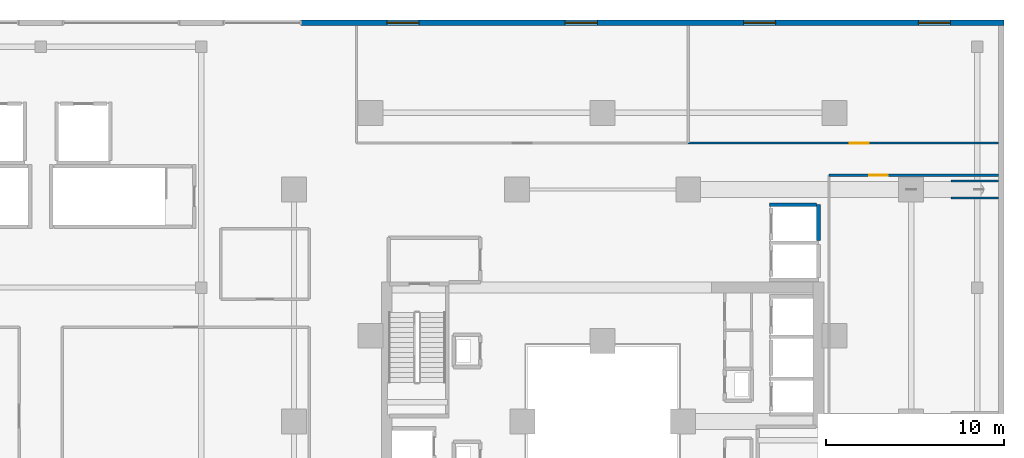
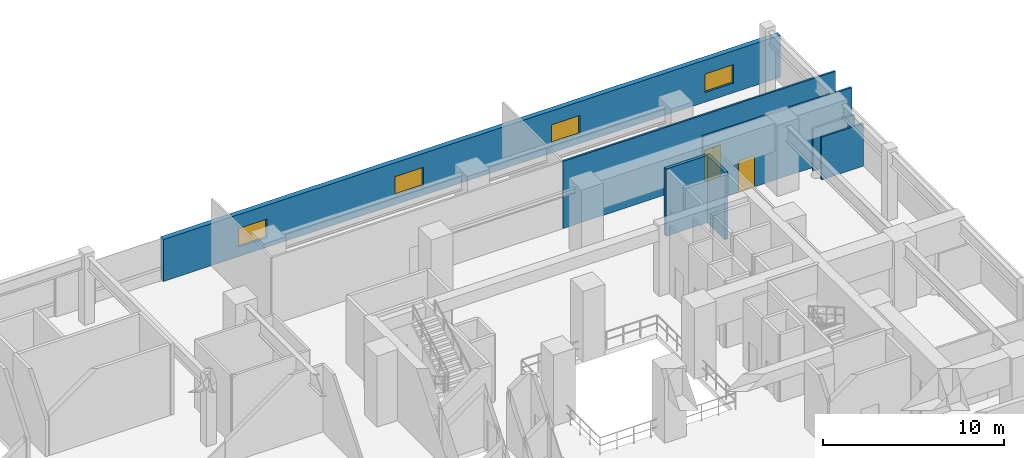
# One storey, part 20 of 25: 7 walls, 4 windows, 2 doors, 6 openings.
"""IFC4 building model written with IfcOpenShell, lengths in metres."""

from ifc_helpers import new_model, si_unit, direction, frame, frame_2d, origin, place, context, subcontext, project, spatial, rectangle, extrude, material, layer, layer_set, type_object, element, fill, save


model = new_model("IFC4")

# Units and contexts
model_context = context("Model", 3, precision=1e-05, world=origin(), true_north=direction((0.0, 1.0)))
body_context = subcontext(model_context, "Body", "Model", "MODEL_VIEW")
ifc_project = project(units=[si_unit("LENGTHUNIT", "METRE"), si_unit("AREAUNIT", "SQUARE_METRE"), si_unit("VOLUMEUNIT", "CUBIC_METRE"), si_unit("PLANEANGLEUNIT", "RADIAN"), si_unit("MASSUNIT", "GRAM", prefix="KILO")], contexts=[model_context])

# Site, building, storey
site_placement = place(None, origin())
site = spatial("IfcSite", under=ifc_project, at=site_placement, CompositionType="ELEMENT")
building_placement = place(site_placement, origin())
building = spatial("IfcBuilding", under=site, at=building_placement, Name="Thornwick Lancets Civic Towers", CompositionType="ELEMENT")
storey_placement = place(building_placement, frame((0.0, 0.0, 23.10009765625)))
storey = spatial("IfcBuildingStorey", under=building, at=storey_placement, Name="L05", CompositionType="ELEMENT", Elevation=23.10009765625)

# Walls
ifc_material_1 = material(Name="Concrete blockwork C40/50", Category="masonry")
ifc_layer_1 = layer(ifc_material_1, 0.199951171875, Name="Concrete blockwork C40/50")
ifc_layer_set_1 = layer_set([ifc_layer_1], Name="Concrete blockwork C40/50")
wall_type_1 = type_object("IfcWallType", Name="WALL_COMP_200", PredefinedType="STANDARD", material=ifc_layer_set_1)
wall_1_placement = place(storey_placement, frame((100.60009765625, 37.132080078125, 0.0), z_axis=(0.0, 0.0, 1.0), x_axis=(0.0, 1.0, 0.0)))
element("IfcWall", 1, at=wall_1_placement, inside=storey, type_object=wall_type_1, Name="L05 Hoistway Shaft Wall PL-BL2 E", PredefinedType="STANDARD", context=body_context, shape_type="SweptSolid", body=[
    extrude(rectangle(XDim=2.015869140625, YDim=0.199951171875, at=frame_2d((1.0078125, 0.0))), origin(), (0.0, 0.0, 1.0), 4.539794921875),
])
wall_2_placement = place(storey_placement, frame((97.85205078125, 39.14990234375, 0.0), z_axis=(0.0, 0.0, 1.0), x_axis=(1.0, 0.0, 0.0)))
element("IfcWall", 2, at=wall_2_placement, inside=storey, type_object=wall_type_1, Name="L05 Hoistway Shaft Wall PL-BL3 N", PredefinedType="STANDARD", context=body_context, shape_type="SweptSolid", body=[
    extrude(rectangle(XDim=2.635986328125, YDim=0.199951171875, at=frame_2d((1.31787109375, 0.0))), origin(), (0.0, 0.0, 1.0), 4.539794921875),
])

# Wall, openings, windows
ifc_material_2 = material(Name="Insulated buff terracotta rainscreen on concrete C40/50", Category="masonry")
ifc_layer_2 = layer(ifc_material_2, 0.320068359375, Name="Insulated buff terracotta rainscreen on concrete C40/50")
ifc_layer_set_2 = layer_set([ifc_layer_2], Name="Insulated buff terracotta rainscreen on concrete C40/50")
wall_type_2 = type_object("IfcWallType", Name="WALL_EXT_TERRA_320", PredefinedType="STANDARD", material=ifc_layer_set_2)
wall_3_placement = place(storey_placement, frame((111.0, 49.340087890625, 0.0), z_axis=(0.0, 0.0, 1.0), x_axis=(-1.0, 0.0, 0.0)))
wall_3 = element("IfcWall", 3, at=wall_3_placement, inside=storey, type_object=wall_type_2, Name="L05 Podium North-East Facade Wall", PredefinedType="STANDARD", context=body_context, shape_type="SweptSolid", body=[
    extrude(rectangle(XDim=39.39990234375, YDim=0.320068359375, at=frame_2d((19.699951171875, 0.0))), origin(), (0.0, 0.0, 1.0), 2.83984375),
])
opening_1_placement = place(wall_3_placement, frame((3.0, 0.0, 0.64990234375)))
opening_1 = element("IfcOpeningElement", 4, at=opening_1_placement, cuts=wall_3, Name="Opening WP-18", PredefinedType="OPENING", context=body_context, shape_type="SweptSolid", body=[
    extrude(rectangle(XDim=1.800048828125, YDim=1.25, at=frame_2d((0.89990234375, 0.625))), frame((0.0, 0.169921875, 0.0), z_axis=(0.0, -1.0, 0.0), x_axis=(1.0, 0.0, 0.0)), (0.0, 0.0, 1.0), 0.340087890625),
])
opening_2_placement = place(wall_3_placement, frame((12.800048828125, 0.0, 0.64990234375)))
opening_2 = element("IfcOpeningElement", 5, at=opening_2_placement, cuts=wall_3, Name="Opening WP-18", PredefinedType="OPENING", context=body_context, shape_type="SweptSolid", body=[
    extrude(rectangle(XDim=1.800048828125, YDim=1.25, at=frame_2d((0.89990234375, 0.625))), frame((0.0, 0.169921875, 0.0), z_axis=(0.0, -1.0, 0.0), x_axis=(1.0, 0.0, 0.0)), (0.0, 0.0, 1.0), 0.340087890625),
])
opening_3_placement = place(wall_3_placement, frame((22.800048828125, 0.0, 0.64990234375)))
opening_3 = element("IfcOpeningElement", 6, at=opening_3_placement, cuts=wall_3, Name="Opening WP-18", PredefinedType="OPENING", context=body_context, shape_type="SweptSolid", body=[
    extrude(rectangle(XDim=1.800048828125, YDim=1.25, at=frame_2d((0.89990234375, 0.625))), frame((0.0, 0.169921875, 0.0), z_axis=(0.0, -1.0, 0.0), x_axis=(1.0, 0.0, 0.0)), (0.0, 0.0, 1.0), 0.340087890625),
])
opening_4_placement = place(wall_3_placement, frame((32.800048828125, 0.0, 0.64990234375)))
opening_4 = element("IfcOpeningElement", 7, at=opening_4_placement, cuts=wall_3, Name="Opening WP-18", PredefinedType="OPENING", context=body_context, shape_type="SweptSolid", body=[
    extrude(rectangle(XDim=1.800048828125, YDim=1.25, at=frame_2d((0.89990234375, 0.625))), frame((0.0, 0.169921875, 0.0), z_axis=(0.0, -1.0, 0.0), x_axis=(1.0, 0.0, 0.0)), (0.0, 0.0, 1.0), 0.340087890625),
])
ifc_material_3 = material(Name="Pointed lancet clear glass window", Category="glass")
window_type = type_object("IfcWindowType", Name="WIN_PODIUM_1800", PartitioningType="SINGLE_PANEL", PredefinedType="WINDOW", material=ifc_material_3)
window_1_placement = place(opening_1_placement, origin())
window_1 = element("IfcWindow", 8, at=window_1_placement, inside=storey, type_object=window_type, Name="L05 Podium Lancet Window 1", OverallHeight=1.25, OverallWidth=1.800048828125, PartitioningType="SINGLE_PANEL", PredefinedType="WINDOW", context=body_context, shape_type="SweptSolid", body=[
    extrude(rectangle(XDim=1.800048828125, YDim=1.25, at=frame_2d((0.89990234375, 0.625))), frame((0.0, 0.030029296875, 0.0), z_axis=(0.0, -1.0, 0.0), x_axis=(1.0, 0.0, 0.0)), (0.0, 0.0, 1.0), 0.06005859375),
])
fill(opening_1, window_1)
window_2_placement = place(opening_2_placement, origin())
window_2 = element("IfcWindow", 9, at=window_2_placement, inside=storey, type_object=window_type, Name="L05 Podium Lancet Window 2", OverallHeight=1.25, OverallWidth=1.800048828125, PartitioningType="SINGLE_PANEL", PredefinedType="WINDOW", context=body_context, shape_type="SweptSolid", body=[
    extrude(rectangle(XDim=1.800048828125, YDim=1.25, at=frame_2d((0.89990234375, 0.625))), frame((0.0, 0.030029296875, 0.0), z_axis=(0.0, -1.0, 0.0), x_axis=(1.0, 0.0, 0.0)), (0.0, 0.0, 1.0), 0.06005859375),
])
fill(opening_2, window_2)
window_3_placement = place(opening_3_placement, origin())
window_3 = element("IfcWindow", 10, at=window_3_placement, inside=storey, type_object=window_type, Name="L05 Podium Lancet Window 3", OverallHeight=1.25, OverallWidth=1.800048828125, PartitioningType="SINGLE_PANEL", PredefinedType="WINDOW", context=body_context, shape_type="SweptSolid", body=[
    extrude(rectangle(XDim=1.800048828125, YDim=1.25, at=frame_2d((0.89990234375, 0.625))), frame((0.0, 0.030029296875, 0.0), z_axis=(0.0, -1.0, 0.0), x_axis=(1.0, 0.0, 0.0)), (0.0, 0.0, 1.0), 0.06005859375),
])
fill(opening_3, window_3)
window_4_placement = place(opening_4_placement, origin())
window_4 = element("IfcWindow", 11, at=window_4_placement, inside=storey, type_object=window_type, Name="L05 Podium Lancet Window 4", OverallHeight=1.25, OverallWidth=1.800048828125, PartitioningType="SINGLE_PANEL", PredefinedType="WINDOW", context=body_context, shape_type="SweptSolid", body=[
    extrude(rectangle(XDim=1.800048828125, YDim=1.25, at=frame_2d((0.89990234375, 0.625))), frame((0.0, 0.030029296875, 0.0), z_axis=(0.0, -1.0, 0.0), x_axis=(1.0, 0.0, 0.0)), (0.0, 0.0, 1.0), 0.06005859375),
])
fill(opening_4, window_4)

# Wall, opening, door
ifc_material_4 = material(Name="Acoustic gypsum board partition")
ifc_layer_3 = layer(ifc_material_4, 0.1201171875, Name="Acoustic gypsum board partition")
ifc_layer_set_3 = layer_set([ifc_layer_3], Name="Acoustic gypsum board partition")
wall_type_3 = type_object("IfcWallType", Name="WALL_PART_120", PredefinedType="PARTITIONING", material=ifc_layer_set_3)
wall_4_placement = place(storey_placement, frame((101.199951171875, 40.800048828125, 0.0), z_axis=(0.0, 0.0, 1.0), x_axis=(1.0, 0.0, 0.0)))
wall_4 = element("IfcWall", 12, at=wall_4_placement, inside=storey, type_object=wall_type_3, Name="L05 Partition L05-ESUITE E4", PredefinedType="PARTITIONING", context=body_context, shape_type="SweptSolid", body=[
    extrude(rectangle(XDim=9.5, YDim=0.1201171875, at=frame_2d((4.75, 0.0))), origin(), (0.0, 0.0, 1.0), 4.539794921875),
])
opening_5_placement = place(wall_4_placement, frame((2.2451171875, 0.0, 0.0)))
opening_5 = element("IfcOpeningElement", 13, at=opening_5_placement, cuts=wall_4, Name="Opening D-L05-0307", PredefinedType="OPENING", context=body_context, shape_type="SweptSolid", body=[
    extrude(rectangle(XDim=1.050048828125, YDim=2.10009765625, at=frame_2d((0.52490234375, 1.050048828125))), frame((0.0, 0.070068359375, 0.0), z_axis=(0.0, -1.0, 0.0), x_axis=(1.0, 0.0, 0.0)), (0.0, 0.0, 1.0), 0.14013671875),
])
ifc_material_5 = material(Name="Glazed European oak executive doorset")
door_type = type_object("IfcDoorType", Name="DOOR_OFFICE_1050", OperationType="NOTDEFINED", PredefinedType="DOOR", material=ifc_material_5)
door_1_placement = place(opening_5_placement, origin())
door_1 = element("IfcDoor", 14, at=door_1_placement, inside=storey, type_object=door_type, Name="L05 East Advisory Suite Door", OperationType="SINGLE_SWING_RIGHT", OverallHeight=2.10009765625, OverallWidth=1.050048828125, PredefinedType="DOOR", context=body_context, shape_type="SweptSolid", body=[
    extrude(rectangle(XDim=1.050048828125, YDim=2.10009765625, at=frame_2d((0.52490234375, 1.050048828125))), frame((0.0, 0.02490234375, 0.0), z_axis=(0.0, -1.0, 0.0), x_axis=(1.0, 0.0, 0.0)), (0.0, 0.0, 1.0), 0.050048828125),
])
fill(opening_5, door_1)

# Walls
for number, where, z_axis, x_axis, name in (
    (15, (110.699951171875, 40.47998046875, 0.0), (0.0, 0.0, 1.0), (-1.0, 0.0, 0.0), "L05 Partition L05-ESUITE E6"),
    (16, (108.03369140625, 39.52001953125, 0.0), (0.0, 0.0, 1.0), (1.0, 0.0, 0.0), "L05 Partition L05-ESUITE E8"),
):
    element("IfcWall", number, at=place(storey_placement, frame(where, z_axis=z_axis, x_axis=x_axis)), inside=storey, type_object=wall_type_3, Name=name, PredefinedType="PARTITIONING", context=body_context, shape_type="SweptSolid", body=[
        extrude(rectangle(XDim=2.666259765625, YDim=0.1201171875, at=frame_2d((1.3330078125, 0.0))), origin(), (0.0, 0.0, 1.0), 2.885009765625),
    ])

# Wall, opening, door
wall_5_placement = place(storey_placement, frame((110.699951171875, 42.60009765625, 0.0), z_axis=(0.0, 0.0, 1.0), x_axis=(-1.0, 0.0, 0.0)))
wall_5 = element("IfcWall", 17, at=wall_5_placement, inside=storey, type_object=wall_type_3, Name="L05 Partition L05-OFFNE E3", PredefinedType="PARTITIONING", context=body_context, shape_type="SweptSolid", body=[
    extrude(rectangle(XDim=17.39990234375, YDim=0.1201171875, at=frame_2d((8.699951171875, 0.0))), origin(), (0.0, 0.0, 1.0), 4.539794921875),
])
opening_6_placement = place(wall_5_placement, frame((7.294921875, 0.0, 0.0)))
opening_6 = element("IfcOpeningElement", 18, at=opening_6_placement, cuts=wall_5, Name="Opening D-L05-0314", PredefinedType="OPENING", context=body_context, shape_type="SweptSolid", body=[
    extrude(rectangle(XDim=1.050048828125, YDim=2.10009765625, at=frame_2d((0.52490234375, 1.050048828125))), frame((0.0, 0.070068359375, 0.0), z_axis=(0.0, -1.0, 0.0), x_axis=(1.0, 0.0, 0.0)), (0.0, 0.0, 1.0), 0.14013671875),
])
door_2_placement = place(opening_6_placement, origin())
door_2 = element("IfcDoor", 19, at=door_2_placement, inside=storey, type_object=door_type, Name="L05 North-East Directorate Suite Door", OperationType="SINGLE_SWING_LEFT", OverallHeight=2.10009765625, OverallWidth=1.050048828125, PredefinedType="DOOR", context=body_context, shape_type="SweptSolid", body=[
    extrude(rectangle(XDim=1.050048828125, YDim=2.10009765625, at=frame_2d((0.52490234375, 1.050048828125))), frame((0.0, 0.02490234375, 0.0), z_axis=(0.0, -1.0, 0.0), x_axis=(1.0, 0.0, 0.0)), (0.0, 0.0, 1.0), 0.050048828125),
])
fill(opening_6, door_2)

save(model, "model.ifc")
